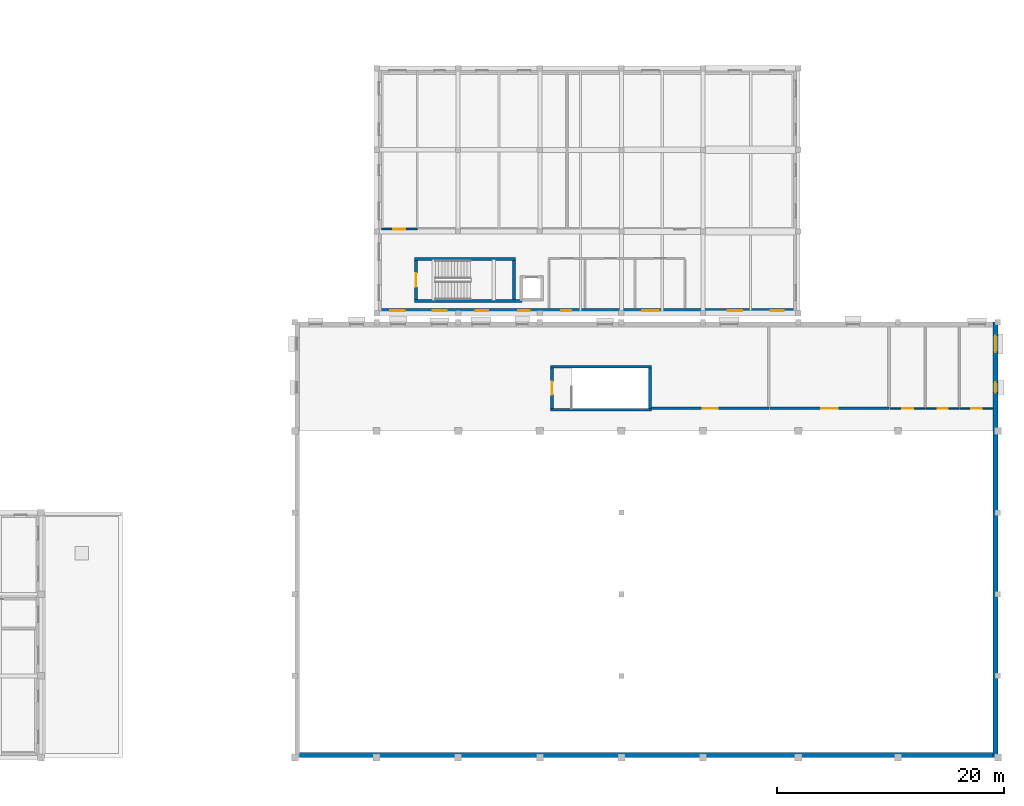
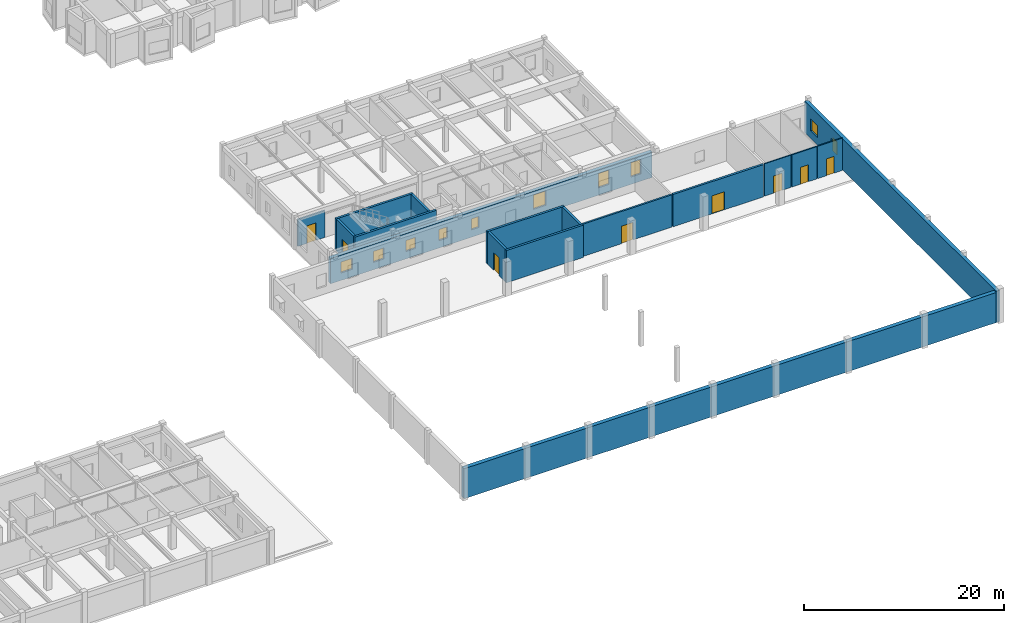
# One storey, part 34 of 49: 17 walls, 10 windows, 8 doors, 18 openings.
"""IFC4 building model written with IfcOpenShell, lengths in metres."""

from ifc_helpers import new_model, si_unit, direction, frame, frame_2d, origin, place, context, subcontext, project, spatial, rectangle, extrude, material, layer, layer_set, type_object, element, fill, save


model = new_model("IFC4")

# Units and contexts
model_context = context("Model", 3, precision=1e-05, world=origin(), true_north=direction((0.0, 1.0)))
body_context = subcontext(model_context, "Body", "Model", "MODEL_VIEW")
ifc_project = project(units=[si_unit("LENGTHUNIT", "METRE"), si_unit("AREAUNIT", "SQUARE_METRE"), si_unit("VOLUMEUNIT", "CUBIC_METRE"), si_unit("PLANEANGLEUNIT", "RADIAN"), si_unit("MASSUNIT", "GRAM", prefix="KILO")], contexts=[model_context])

# Site, building, storey
site_placement = place(None, origin())
site = spatial("IfcSite", under=ifc_project, at=site_placement, CompositionType="ELEMENT")
building_placement = place(site_placement, origin())
building = spatial("IfcBuilding", under=site, at=building_placement, Name="Bramveld Media Centre", CompositionType="ELEMENT")
storey_placement = place(building_placement, frame((0.0, 0.0, 9.60009765625)))
storey = spatial("IfcBuildingStorey", under=building, at=storey_placement, Name="L02", CompositionType="ELEMENT", Elevation=9.60009765625)

# Walls
ifc_material_1 = material(Name="Concrete C40/50 stair & lift core wall", Category="concrete")
ifc_layer_1 = layer(ifc_material_1, 0.25)
ifc_layer_set_1 = layer_set([ifc_layer_1], Name="Concrete C40/50 stair & lift core wall")
wall_type_1 = type_object("IfcWallType", Name="CWALL-SHEAR-250", PredefinedType="SHEAR", material=ifc_layer_set_1)
for number, where, z_axis, x_axis, name in (
    (1, (146.550048828125, 30.675048828125, 0.0), (0.0, 0.0, 1.0), (1.0, 0.0, 0.0), "ST-03 L02 stair core shear wall S"),
    (2, (155.449951171875, 34.47509765625, 0.0), (0.0, 0.0, 1.0), (-1.0, 0.0, 0.0), "ST-03 L02 stair core shear wall N"),
):
    element("IfcWall", number, at=place(storey_placement, frame(where, z_axis=z_axis, x_axis=x_axis)), inside=storey, type_object=wall_type_1, Name=name, PredefinedType="SHEAR", context=body_context, shape_type="SweptSolid", body=[
        extrude(rectangle(XDim=8.89990234375, YDim=0.25, at=frame_2d((4.449951171875, 0.0))), origin(), (0.0, 0.0, 1.0), 3.949951171875),
    ])

# Wall, opening, door
wall_1_placement = place(storey_placement, frame((146.675048828125, 34.35009765625, 0.0), z_axis=(0.0, 0.0, 1.0), x_axis=(0.0, -1.0, 0.0)))
wall_1 = element("IfcWall", 3, at=wall_1_placement, inside=storey, type_object=wall_type_1, Name="ST-03 L02 stair core shear wall W", PredefinedType="SHEAR", context=body_context, shape_type="SweptSolid", body=[
    extrude(rectangle(XDim=3.550048828125, YDim=0.25, at=frame_2d((1.77490234375, 0.0))), origin(), (0.0, 0.0, 1.0), 3.949951171875),
])
opening_1_placement = place(wall_1_placement, frame((1.199951171875, 0.0, 0.0)))
opening_1 = element("IfcOpeningElement", 4, at=opening_1_placement, cuts=wall_1, Name="Opening SD-03-L02", PredefinedType="OPENING", context=body_context, shape_type="SweptSolid", body=[
    extrude(rectangle(XDim=1.14990234375, YDim=2.14990234375, at=frame_2d((0.574951171875, 1.074951171875))), frame((0.0, 0.136962890625, 0.0), z_axis=(0.0, -1.0, 0.0), x_axis=(1.0, 0.0, 0.0)), (0.0, 0.0, 1.0), 0.27392578125),
])
ifc_material_2 = material(Name="Painted galvanized steel acoustic fire door with intumescent smoke seals", Category="steel")
door_type_1 = type_object("IfcDoorType", Name="DR-ST-1150", OperationType="NOTDEFINED", PredefinedType="DOOR", material=ifc_material_2)
door_1_placement = place(opening_1_placement, origin())
door_1 = element("IfcDoor", 5, at=door_1_placement, inside=storey, type_object=door_type_1, Name="ST-03 L02 pressurized stair fire door", OperationType="SINGLE_SWING_LEFT", OverallHeight=2.14990234375, OverallWidth=1.14990234375, PredefinedType="DOOR", context=body_context, shape_type="SweptSolid", body=[
    extrude(rectangle(XDim=1.14990234375, YDim=2.14990234375, at=frame_2d((0.574951171875, 1.074951171875))), frame((0.0, 0.02490234375, 0.0), z_axis=(0.0, -1.0, 0.0), x_axis=(1.0, 0.0, 0.0)), (0.0, 0.0, 1.0), 0.050048828125),
])
fill(opening_1, door_1)

# Walls
wall_2_placement = place(storey_placement, frame((155.324951171875, 30.800048828125, 0.0), z_axis=(0.0, 0.0, 1.0), x_axis=(0.0, 1.0, 0.0)))
element("IfcWall", 6, at=wall_2_placement, inside=storey, type_object=wall_type_1, Name="ST-03 L02 stair core shear wall E", PredefinedType="SHEAR", context=body_context, shape_type="SweptSolid", body=[
    extrude(rectangle(XDim=3.550048828125, YDim=0.25, at=frame_2d((1.77490234375, 0.0))), origin(), (0.0, 0.0, 1.0), 3.949951171875),
])
wall_3_placement = place(storey_placement, frame((134.550048828125, 40.27490234375, 0.0), z_axis=(0.0, 0.0, 1.0), x_axis=(1.0, 0.0, 0.0)))
element("IfcWall", 7, at=wall_3_placement, inside=storey, type_object=wall_type_1, Name="ST-08 L02 stair core shear wall S", PredefinedType="SHEAR", context=body_context, shape_type="SweptSolid", body=[
    extrude(rectangle(XDim=9.469970703125, YDim=0.25, at=frame_2d((4.73486328125, 0.0))), origin(), (0.0, 0.0, 1.0), 3.9599609375),
])
wall_4_placement = place(storey_placement, frame((143.449951171875, 43.97509765625, 0.0), z_axis=(0.0, 0.0, 1.0), x_axis=(-1.0, 0.0, 0.0)))
element("IfcWall", 8, at=wall_4_placement, inside=storey, type_object=wall_type_1, Name="ST-08 L02 stair core shear wall N", PredefinedType="SHEAR", context=body_context, shape_type="SweptSolid", body=[
    extrude(rectangle(XDim=8.89990234375, YDim=0.25, at=frame_2d((4.449951171875, 0.0))), origin(), (0.0, 0.0, 1.0), 3.9599609375),
])

# Wall, opening, door
wall_5_placement = place(storey_placement, frame((134.675048828125, 43.85009765625, 0.0), z_axis=(0.0, 0.0, 1.0), x_axis=(0.0, -1.0, 0.0)))
wall_5 = element("IfcWall", 9, at=wall_5_placement, inside=storey, type_object=wall_type_1, Name="ST-08 L02 stair core shear wall W", PredefinedType="SHEAR", context=body_context, shape_type="SweptSolid", body=[
    extrude(rectangle(XDim=3.4501953125, YDim=0.25, at=frame_2d((1.72509765625, 0.0))), origin(), (0.0, 0.0, 1.0), 3.9599609375),
])
opening_2_placement = place(wall_5_placement, frame((1.125, 0.0, 0.0)))
opening_2 = element("IfcOpeningElement", 10, at=opening_2_placement, cuts=wall_5, Name="Opening SD-08-L02", PredefinedType="OPENING", context=body_context, shape_type="SweptSolid", body=[
    extrude(rectangle(XDim=1.199951171875, YDim=2.14990234375, at=frame_2d((0.60009765625, 1.074951171875))), frame((0.0, 0.136962890625, 0.0), z_axis=(0.0, -1.0, 0.0), x_axis=(1.0, 0.0, 0.0)), (0.0, 0.0, 1.0), 0.27392578125),
])
ifc_material_3 = material(Name="Painted galvanized steel acoustic fire door with intumescent smoke seals", Category="steel")
door_type_2 = type_object("IfcDoorType", Name="DR-ST-1200", OperationType="NOTDEFINED", PredefinedType="DOOR", material=ifc_material_3)
door_2_placement = place(opening_2_placement, origin())
door_2 = element("IfcDoor", 11, at=door_2_placement, inside=storey, type_object=door_type_2, Name="ST-08 L02 pressurized stair fire door", OperationType="SINGLE_SWING_LEFT", OverallHeight=2.14990234375, OverallWidth=1.199951171875, PredefinedType="DOOR", context=body_context, shape_type="SweptSolid", body=[
    extrude(rectangle(XDim=1.199951171875, YDim=2.14990234375, at=frame_2d((0.60009765625, 1.074951171875))), frame((0.0, 0.02490234375, 0.0), z_axis=(0.0, -1.0, 0.0), x_axis=(1.0, 0.0, 0.0)), (0.0, 0.0, 1.0), 0.050048828125),
])
fill(opening_2, door_2)

# Wall
wall_6_placement = place(storey_placement, frame((143.324951171875, 40.39990234375, 0.0), z_axis=(0.0, 0.0, 1.0), x_axis=(0.0, 1.0, 0.0)))
element("IfcWall", 12, at=wall_6_placement, inside=storey, type_object=wall_type_1, Name="ST-08 L02 stair core shear wall E", PredefinedType="SHEAR", context=body_context, shape_type="SweptSolid", body=[
    extrude(rectangle(XDim=3.4501953125, YDim=0.25, at=frame_2d((1.72509765625, 0.0))), origin(), (0.0, 0.0, 1.0), 3.9599609375),
])

# Wall, openings, windows
ifc_material_4 = material(Name="Flemish red-brown clay facing brick cavity wall with concrete C35/45 inner leaf", Category="masonry")
ifc_layer_2 = layer(ifc_material_4, 0.419921875)
ifc_layer_set_2 = layer_set([ifc_layer_2], Name="Flemish red-brown clay facing brick cavity wall with concrete C35/45 inner leaf")
wall_type_2 = type_object("IfcWallType", Name="EW-BRK-420", PredefinedType="SOLIDWALL", material=ifc_layer_set_2)
wall_7_placement = place(storey_placement, frame((185.7900390625, 38.39990234375, 0.0), z_axis=(0.0, 0.0, 1.0), x_axis=(0.0, -1.0, 0.0)))
wall_7 = element("IfcWall", 13, at=wall_7_placement, inside=storey, type_object=wall_type_2, Name="V1 L02 E facing brick exterior wall", PredefinedType="SOLIDWALL", context=body_context, shape_type="SweptSolid", body=[
    extrude(rectangle(XDim=38.39990234375, YDim=0.419921875, at=frame_2d((19.199951171875, 0.0))), origin(), (0.0, 0.0, 1.0), 3.824951171875),
])
opening_3_placement = place(wall_7_placement, frame((1.195068359375, 0.0, 0.89990234375)))
opening_3 = element("IfcOpeningElement", 14, at=opening_3_placement, cuts=wall_7, Name="Opening W-12", PredefinedType="OPENING", context=body_context, shape_type="SweptSolid", body=[
    extrude(rectangle(XDim=1.449951171875, YDim=1.449951171875, at=frame_2d((0.72509765625, 0.72509765625))), frame((0.0, 0.221923828125, 0.0), z_axis=(0.0, -1.0, 0.0), x_axis=(1.0, 0.0, 0.0)), (0.0, 0.0, 1.0), 0.44384765625),
])
opening_4_placement = place(wall_7_placement, frame((5.31005859375, 0.0, 0.89990234375)))
opening_4 = element("IfcOpeningElement", 15, at=opening_4_placement, cuts=wall_7, Name="Opening W-13", PredefinedType="OPENING", context=body_context, shape_type="SweptSolid", body=[
    extrude(rectangle(XDim=0.89990234375, YDim=1.60009765625, at=frame_2d((0.449951171875, 0.800048828125))), frame((0.0, 0.221923828125, 0.0), z_axis=(0.0, -1.0, 0.0), x_axis=(1.0, 0.0, 0.0)), (0.0, 0.0, 1.0), 0.44384765625),
])
ifc_material_5 = material(Name="Thermally broken anodized bronze aluminium frame with triple acoustic glazing", Category="aluminium")
window_type_1 = type_object("IfcWindowType", Name="WIN-FAC-12", PartitioningType="SINGLE_PANEL", PredefinedType="WINDOW", material=ifc_material_5)
window_1_placement = place(opening_3_placement, origin())
window_1 = element("IfcWindow", 16, at=window_1_placement, inside=storey, type_object=window_type_1, Name="V1 L02 E acoustic facade window", OverallHeight=1.449951171875, OverallWidth=1.449951171875, PartitioningType="SINGLE_PANEL", PredefinedType="WINDOW", context=body_context, shape_type="SweptSolid", body=[
    extrude(rectangle(XDim=1.449951171875, YDim=1.449951171875, at=frame_2d((0.72509765625, 0.72509765625))), frame((0.0, 0.030029296875, 0.0), z_axis=(0.0, -1.0, 0.0), x_axis=(1.0, 0.0, 0.0)), (0.0, 0.0, 1.0), 0.06005859375),
])
fill(opening_3, window_1)
ifc_material_6 = material(Name="Thermally broken anodized bronze aluminium frame with triple acoustic glazing", Category="aluminium")
window_type_2 = type_object("IfcWindowType", Name="WIN-FAC-13", PartitioningType="SINGLE_PANEL", PredefinedType="WINDOW", material=ifc_material_6)
window_2_placement = place(opening_4_placement, origin())
window_2 = element("IfcWindow", 17, at=window_2_placement, inside=storey, type_object=window_type_2, Name="V1 L02 E acoustic facade window", OverallHeight=1.60009765625, OverallWidth=0.89990234375, PartitioningType="SINGLE_PANEL", PredefinedType="WINDOW", context=body_context, shape_type="SweptSolid", body=[
    extrude(rectangle(XDim=0.89990234375, YDim=1.60009765625, at=frame_2d((0.449951171875, 0.800048828125))), frame((0.0, 0.030029296875, 0.0), z_axis=(0.0, -1.0, 0.0), x_axis=(1.0, 0.0, 0.0)), (0.0, 0.0, 1.0), 0.06005859375),
])
fill(opening_4, window_2)

wall_8_placement = place(storey_placement, frame((168.39990234375, 39.409912109375, 0.0), z_axis=(0.0, 0.0, 1.0), x_axis=(-1.0, 0.0, 0.0)))
wall_8 = element("IfcWall", 18, at=wall_8_placement, inside=storey, type_object=wall_type_2, Name="V4 L02 S facing brick exterior wall", PredefinedType="SOLIDWALL", context=body_context, shape_type="SweptSolid", body=[
    extrude(rectangle(XDim=37.199951171875, YDim=0.419921875, at=frame_2d((18.60009765625, 0.0))), origin(), (0.0, 0.0, 1.0), 3.114990234375),
])
opening_5_placement = place(wall_8_placement, frame((1.300048828125, 0.0, 0.89990234375)))
opening_5 = element("IfcOpeningElement", 19, at=opening_5_placement, cuts=wall_8, Name="Opening W-20", PredefinedType="OPENING", context=body_context, shape_type="SweptSolid", body=[
    extrude(rectangle(XDim=1.1201171875, YDim=1.75, at=frame_2d((0.56005859375, 0.875))), frame((0.0, 0.221923828125, 0.0), z_axis=(0.0, -1.0, 0.0), x_axis=(1.0, 0.0, 0.0)), (0.0, 0.0, 1.0), 0.44384765625),
])
opening_6_placement = place(wall_8_placement, frame((4.9599609375, 0.0, 0.89990234375)))
opening_6 = element("IfcOpeningElement", 20, at=opening_6_placement, cuts=wall_8, Name="Opening W-21", PredefinedType="OPENING", context=body_context, shape_type="SweptSolid", body=[
    extrude(rectangle(XDim=1.239990234375, YDim=1.75, at=frame_2d((0.6201171875, 0.875))), frame((0.0, 0.221923828125, 0.0), z_axis=(0.0, -1.0, 0.0), x_axis=(1.0, 0.0, 0.0)), (0.0, 0.0, 1.0), 0.44384765625),
])
opening_7_placement = place(wall_8_placement, frame((12.300048828125, 0.0, 0.89990234375)))
opening_7 = element("IfcOpeningElement", 21, at=opening_7_placement, cuts=wall_8, Name="Opening W-23", PredefinedType="OPENING", context=body_context, shape_type="SweptSolid", body=[
    extrude(rectangle(XDim=1.43994140625, YDim=1.75, at=frame_2d((0.719970703125, 0.875))), frame((0.0, 0.221923828125, 0.0), z_axis=(0.0, -1.0, 0.0), x_axis=(1.0, 0.0, 0.0)), (0.0, 0.0, 1.0), 0.44384765625),
])
opening_8_placement = place(wall_8_placement, frame((20.010009765625, 0.0, 0.89990234375)))
opening_8 = element("IfcOpeningElement", 22, at=opening_8_placement, cuts=wall_8, Name="Opening W-01", PredefinedType="OPENING", context=body_context, shape_type="SweptSolid", body=[
    extrude(rectangle(XDim=0.89990234375, YDim=1.35009765625, at=frame_2d((0.449951171875, 0.675048828125))), frame((0.0, 0.221923828125, 0.0), z_axis=(0.0, -1.0, 0.0), x_axis=(1.0, 0.0, 0.0)), (0.0, 0.0, 1.0), 0.44384765625),
])
opening_9_placement = place(wall_8_placement, frame((23.679931640625, 0.0, 0.89990234375)))
opening_9 = element("IfcOpeningElement", 23, at=opening_9_placement, cuts=wall_8, Name="Opening W-02", PredefinedType="OPENING", context=body_context, shape_type="SweptSolid", body=[
    extrude(rectangle(XDim=1.0, YDim=1.35009765625, at=frame_2d((0.5, 0.675048828125))), frame((0.0, 0.221923828125, 0.0), z_axis=(0.0, -1.0, 0.0), x_axis=(1.0, 0.0, 0.0)), (0.0, 0.0, 1.0), 0.44384765625),
])
opening_10_placement = place(wall_8_placement, frame((27.35009765625, 0.0, 0.89990234375)))
opening_10 = element("IfcOpeningElement", 24, at=opening_10_placement, cuts=wall_8, Name="Opening W-03", PredefinedType="OPENING", context=body_context, shape_type="SweptSolid", body=[
    extrude(rectangle(XDim=1.10009765625, YDim=1.35009765625, at=frame_2d((0.550048828125, 0.675048828125))), frame((0.0, 0.221923828125, 0.0), z_axis=(0.0, -1.0, 0.0), x_axis=(1.0, 0.0, 0.0)), (0.0, 0.0, 1.0), 0.44384765625),
])
opening_11_placement = place(wall_8_placement, frame((31.02001953125, 0.0, 0.89990234375)))
opening_11 = element("IfcOpeningElement", 25, at=opening_11_placement, cuts=wall_8, Name="Opening W-04", PredefinedType="OPENING", context=body_context, shape_type="SweptSolid", body=[
    extrude(rectangle(XDim=1.199951171875, YDim=1.35009765625, at=frame_2d((0.60009765625, 0.675048828125))), frame((0.0, 0.221923828125, 0.0), z_axis=(0.0, -1.0, 0.0), x_axis=(1.0, 0.0, 0.0)), (0.0, 0.0, 1.0), 0.44384765625),
])
opening_12_placement = place(wall_8_placement, frame((34.68994140625, 0.0, 0.89990234375)))
opening_12 = element("IfcOpeningElement", 26, at=opening_12_placement, cuts=wall_8, Name="Opening W-05", PredefinedType="OPENING", context=body_context, shape_type="SweptSolid", body=[
    extrude(rectangle(XDim=1.300048828125, YDim=1.35009765625, at=frame_2d((0.64990234375, 0.675048828125))), frame((0.0, 0.221923828125, 0.0), z_axis=(0.0, -1.0, 0.0), x_axis=(1.0, 0.0, 0.0)), (0.0, 0.0, 1.0), 0.44384765625),
])
ifc_material_7 = material(Name="Thermally broken anodized bronze aluminium frame with triple acoustic glazing", Category="aluminium")
window_type_3 = type_object("IfcWindowType", Name="WIN-FAC-01", PartitioningType="SINGLE_PANEL", PredefinedType="WINDOW", material=ifc_material_7)
window_3_placement = place(opening_8_placement, origin())
window_3 = element("IfcWindow", 27, at=window_3_placement, inside=storey, type_object=window_type_3, Name="V4 L02 S acoustic facade window", OverallHeight=1.35009765625, OverallWidth=0.89990234375, PartitioningType="SINGLE_PANEL", PredefinedType="WINDOW", context=body_context, shape_type="SweptSolid", body=[
    extrude(rectangle(XDim=0.89990234375, YDim=1.35009765625, at=frame_2d((0.449951171875, 0.675048828125))), frame((0.0, 0.030029296875, 0.0), z_axis=(0.0, -1.0, 0.0), x_axis=(1.0, 0.0, 0.0)), (0.0, 0.0, 1.0), 0.06005859375),
])
fill(opening_8, window_3)
ifc_material_8 = material(Name="Thermally broken anodized bronze aluminium frame with triple acoustic glazing", Category="aluminium")
window_type_4 = type_object("IfcWindowType", Name="WIN-FAC-02", PartitioningType="SINGLE_PANEL", PredefinedType="WINDOW", material=ifc_material_8)
window_4_placement = place(opening_9_placement, origin())
window_4 = element("IfcWindow", 28, at=window_4_placement, inside=storey, type_object=window_type_4, Name="V4 L02 S acoustic facade window", OverallHeight=1.35009765625, OverallWidth=1.0, PartitioningType="SINGLE_PANEL", PredefinedType="WINDOW", context=body_context, shape_type="SweptSolid", body=[
    extrude(rectangle(XDim=1.0, YDim=1.35009765625, at=frame_2d((0.5, 0.675048828125))), frame((0.0, 0.030029296875, 0.0), z_axis=(0.0, -1.0, 0.0), x_axis=(1.0, 0.0, 0.0)), (0.0, 0.0, 1.0), 0.06005859375),
])
fill(opening_9, window_4)
ifc_material_9 = material(Name="Thermally broken anodized bronze aluminium frame with triple acoustic glazing", Category="aluminium")
window_type_5 = type_object("IfcWindowType", Name="WIN-FAC-03", PartitioningType="SINGLE_PANEL", PredefinedType="WINDOW", material=ifc_material_9)
window_5_placement = place(opening_10_placement, origin())
window_5 = element("IfcWindow", 29, at=window_5_placement, inside=storey, type_object=window_type_5, Name="V4 L02 S acoustic facade window", OverallHeight=1.35009765625, OverallWidth=1.10009765625, PartitioningType="SINGLE_PANEL", PredefinedType="WINDOW", context=body_context, shape_type="SweptSolid", body=[
    extrude(rectangle(XDim=1.10009765625, YDim=1.35009765625, at=frame_2d((0.550048828125, 0.675048828125))), frame((0.0, 0.030029296875, 0.0), z_axis=(0.0, -1.0, 0.0), x_axis=(1.0, 0.0, 0.0)), (0.0, 0.0, 1.0), 0.06005859375),
])
fill(opening_10, window_5)
ifc_material_10 = material(Name="Thermally broken anodized bronze aluminium frame with triple acoustic glazing", Category="aluminium")
window_type_6 = type_object("IfcWindowType", Name="WIN-FAC-04", PartitioningType="SINGLE_PANEL", PredefinedType="WINDOW", material=ifc_material_10)
window_6_placement = place(opening_11_placement, origin())
window_6 = element("IfcWindow", 30, at=window_6_placement, inside=storey, type_object=window_type_6, Name="V4 L02 S acoustic facade window", OverallHeight=1.35009765625, OverallWidth=1.199951171875, PartitioningType="SINGLE_PANEL", PredefinedType="WINDOW", context=body_context, shape_type="SweptSolid", body=[
    extrude(rectangle(XDim=1.199951171875, YDim=1.35009765625, at=frame_2d((0.60009765625, 0.675048828125))), frame((0.0, 0.030029296875, 0.0), z_axis=(0.0, -1.0, 0.0), x_axis=(1.0, 0.0, 0.0)), (0.0, 0.0, 1.0), 0.06005859375),
])
fill(opening_11, window_6)
ifc_material_11 = material(Name="Thermally broken anodized bronze aluminium frame with triple acoustic glazing", Category="aluminium")
window_type_7 = type_object("IfcWindowType", Name="WIN-FAC-05", PartitioningType="SINGLE_PANEL", PredefinedType="WINDOW", material=ifc_material_11)
window_7_placement = place(opening_12_placement, origin())
window_7 = element("IfcWindow", 31, at=window_7_placement, inside=storey, type_object=window_type_7, Name="V4 L02 S acoustic facade window", OverallHeight=1.35009765625, OverallWidth=1.300048828125, PartitioningType="SINGLE_PANEL", PredefinedType="WINDOW", context=body_context, shape_type="SweptSolid", body=[
    extrude(rectangle(XDim=1.300048828125, YDim=1.35009765625, at=frame_2d((0.64990234375, 0.675048828125))), frame((0.0, 0.030029296875, 0.0), z_axis=(0.0, -1.0, 0.0), x_axis=(1.0, 0.0, 0.0)), (0.0, 0.0, 1.0), 0.06005859375),
])
fill(opening_12, window_7)
ifc_material_12 = material(Name="Thermally broken anodized bronze aluminium frame with triple acoustic glazing", Category="aluminium")
window_type_8 = type_object("IfcWindowType", Name="WIN-FAC-20", PartitioningType="SINGLE_PANEL", PredefinedType="WINDOW", material=ifc_material_12)
window_8_placement = place(opening_5_placement, origin())
window_8 = element("IfcWindow", 32, at=window_8_placement, inside=storey, type_object=window_type_8, Name="V4 L02 S acoustic facade window", OverallHeight=1.75, OverallWidth=1.1201171875, PartitioningType="SINGLE_PANEL", PredefinedType="WINDOW", context=body_context, shape_type="SweptSolid", body=[
    extrude(rectangle(XDim=1.1201171875, YDim=1.75, at=frame_2d((0.56005859375, 0.875))), frame((0.0, 0.030029296875, 0.0), z_axis=(0.0, -1.0, 0.0), x_axis=(1.0, 0.0, 0.0)), (0.0, 0.0, 1.0), 0.06005859375),
])
fill(opening_5, window_8)
ifc_material_13 = material(Name="Thermally broken anodized bronze aluminium frame with triple acoustic glazing", Category="aluminium")
window_type_9 = type_object("IfcWindowType", Name="WIN-FAC-21", PartitioningType="SINGLE_PANEL", PredefinedType="WINDOW", material=ifc_material_13)
window_9_placement = place(opening_6_placement, origin())
window_9 = element("IfcWindow", 33, at=window_9_placement, inside=storey, type_object=window_type_9, Name="V4 L02 S acoustic facade window", OverallHeight=1.75, OverallWidth=1.239990234375, PartitioningType="SINGLE_PANEL", PredefinedType="WINDOW", context=body_context, shape_type="SweptSolid", body=[
    extrude(rectangle(XDim=1.239990234375, YDim=1.75, at=frame_2d((0.6201171875, 0.875))), frame((0.0, 0.030029296875, 0.0), z_axis=(0.0, -1.0, 0.0), x_axis=(1.0, 0.0, 0.0)), (0.0, 0.0, 1.0), 0.06005859375),
])
fill(opening_6, window_9)
ifc_material_14 = material(Name="Thermally broken anodized bronze aluminium frame with triple acoustic glazing", Category="aluminium")
window_type_10 = type_object("IfcWindowType", Name="WIN-FAC-23", PartitioningType="SINGLE_PANEL", PredefinedType="WINDOW", material=ifc_material_14)
window_10_placement = place(opening_7_placement, origin())
window_10 = element("IfcWindow", 34, at=window_10_placement, inside=storey, type_object=window_type_10, Name="V4 L02 S acoustic facade window", OverallHeight=1.75, OverallWidth=1.43994140625, PartitioningType="SINGLE_PANEL", PredefinedType="WINDOW", context=body_context, shape_type="SweptSolid", body=[
    extrude(rectangle(XDim=1.43994140625, YDim=1.75, at=frame_2d((0.719970703125, 0.875))), frame((0.0, 0.030029296875, 0.0), z_axis=(0.0, -1.0, 0.0), x_axis=(1.0, 0.0, 0.0)), (0.0, 0.0, 1.0), 0.06005859375),
])
fill(opening_7, window_10)

# Wall
ifc_material_15 = material(Name="Flemish red-brown clay facing brick cavity wall with concrete C35/45 inner leaf", Category="masonry")
ifc_layer_3 = layer(ifc_material_15, 0.4599609375)
ifc_layer_set_3 = layer_set([ifc_layer_3], Name="Flemish red-brown clay facing brick cavity wall with concrete C35/45 inner leaf")
wall_type_3 = type_object("IfcWallType", Name="EW-BRK-460", PredefinedType="SOLIDWALL", material=ifc_layer_set_3)
wall_9_placement = place(storey_placement, frame((186.0, 0.22998046875, 0.0), z_axis=(0.0, 0.0, 1.0), x_axis=(-1.0, 0.0, 0.0)))
element("IfcWall", 35, at=wall_9_placement, inside=storey, type_object=wall_type_3, Name="V1 L02 S facing brick exterior wall", PredefinedType="SOLIDWALL", context=body_context, shape_type="SweptSolid", body=[
    extrude(rectangle(XDim=62.0, YDim=0.4599609375, at=frame_2d((31.0, 0.0))), origin(), (0.0, 0.0, 1.0), 3.6748046875),
])

# Wall, opening, door
ifc_material_16 = material(Name="Acoustic calcium-silicate & mineral-wool compartment partition", Category="masonry")
ifc_layer_4 = layer(ifc_material_16, 0.199951171875)
ifc_layer_set_4 = layer_set([ifc_layer_4], Name="Acoustic calcium-silicate & mineral-wool compartment partition")
wall_type_4 = type_object("IfcWallType", Name="IW-ACOU-200", PredefinedType="PARTITIONING", material=ifc_layer_set_4)
wall_10_placement = place(storey_placement, frame((155.4599609375, 30.800048828125, 0.0), z_axis=(0.0, 0.0, 1.0), x_axis=(1.0, 0.0, 0.0)))
wall_10 = element("IfcWall", 36, at=wall_10_placement, inside=storey, type_object=wall_type_4, Name="Dolby Atmos Amplifier & Dimmer Room partition wall", PredefinedType="PARTITIONING", context=body_context, shape_type="SweptSolid", body=[
    extrude(rectangle(XDim=10.340087890625, YDim=0.199951171875, at=frame_2d((5.169921875, 0.0))), origin(), (0.0, 0.0, 1.0), 3.949951171875),
])
opening_13_placement = place(wall_10_placement, frame((4.510009765625, 0.0, 0.0)))
opening_13 = element("IfcOpeningElement", 37, at=opening_13_placement, cuts=wall_10, Name="Opening D-02-096", PredefinedType="OPENING", context=body_context, shape_type="SweptSolid", body=[
    extrude(rectangle(XDim=1.320068359375, YDim=2.14990234375, at=frame_2d((0.66015625, 1.074951171875))), frame((0.0, 0.11181640625, 0.0), z_axis=(0.0, -1.0, 0.0), x_axis=(1.0, 0.0, 0.0)), (0.0, 0.0, 1.0), 0.223876953125),
])
ifc_material_17 = material(Name="Fire-rated acoustic timber & steel composite door", Category="steel")
door_type_3 = type_object("IfcDoorType", Name="DR-PLANT-1320", OperationType="NOTDEFINED", PredefinedType="DOOR", material=ifc_material_17)
door_3_placement = place(opening_13_placement, origin())
door_3 = element("IfcDoor", 38, at=door_3_placement, inside=storey, type_object=door_type_3, Name="Dolby Atmos Amplifier & Dimmer Room entrance door", OperationType="SINGLE_SWING_LEFT", OverallHeight=2.14990234375, OverallWidth=1.320068359375, PredefinedType="DOOR", context=body_context, shape_type="SweptSolid", body=[
    extrude(rectangle(XDim=1.320068359375, YDim=2.14990234375, at=frame_2d((0.66015625, 1.074951171875))), frame((0.0, 0.02490234375, 0.0), z_axis=(0.0, -1.0, 0.0), x_axis=(1.0, 0.0, 0.0)), (0.0, 0.0, 1.0), 0.050048828125),
])
fill(opening_13, door_3)

ifc_material_18 = material(Name="Double-stud acoustic gypsum & mineral-wool studio wall", Category="gypsum")
ifc_layer_5 = layer(ifc_material_18, 0.239990234375)
ifc_layer_set_5 = layer_set([ifc_layer_5], Name="Double-stud acoustic gypsum & mineral-wool studio wall")
wall_type_5 = type_object("IfcWallType", Name="IW-ACOU-240", PredefinedType="PARTITIONING", material=ifc_layer_set_5)
wall_11_placement = place(storey_placement, frame((165.909912109375, 30.800048828125, 0.0), z_axis=(0.0, 0.0, 1.0), x_axis=(1.0, 0.0, 0.0)))
wall_11 = element("IfcWall", 39, at=wall_11_placement, inside=storey, type_object=wall_type_5, Name="Cinema Acoustic AHU Plant Room partition wall", PredefinedType="PARTITIONING", context=body_context, shape_type="SweptSolid", body=[
    extrude(rectangle(XDim=10.489990234375, YDim=0.239990234375, at=frame_2d((5.2451171875, 0.0))), origin(), (0.0, 0.0, 1.0), 3.949951171875),
])
opening_14_placement = place(wall_11_placement, frame((4.52490234375, 0.0, 0.0)))
opening_14 = element("IfcOpeningElement", 40, at=opening_14_placement, cuts=wall_11, Name="Opening D-02-097", PredefinedType="OPENING", context=body_context, shape_type="SweptSolid", body=[
    extrude(rectangle(XDim=1.43994140625, YDim=2.199951171875, at=frame_2d((0.719970703125, 1.10009765625))), frame((0.0, 0.1318359375, 0.0), z_axis=(0.0, -1.0, 0.0), x_axis=(1.0, 0.0, 0.0)), (0.0, 0.0, 1.0), 0.263916015625),
])
ifc_material_19 = material(Name="Fire-rated acoustic timber & steel composite door", Category="steel")
door_type_4 = type_object("IfcDoorType", Name="DR-PLANT-1440", OperationType="NOTDEFINED", PredefinedType="DOOR", material=ifc_material_19)
door_4_placement = place(opening_14_placement, origin())
door_4 = element("IfcDoor", 41, at=door_4_placement, inside=storey, type_object=door_type_4, Name="Cinema Acoustic AHU Plant Room entrance door", OperationType="SINGLE_SWING_RIGHT", OverallHeight=2.199951171875, OverallWidth=1.43994140625, PredefinedType="DOOR", context=body_context, shape_type="SweptSolid", body=[
    extrude(rectangle(XDim=1.43994140625, YDim=2.199951171875, at=frame_2d((0.719970703125, 1.10009765625))), frame((0.0, 0.02490234375, 0.0), z_axis=(0.0, -1.0, 0.0), x_axis=(1.0, 0.0, 0.0)), (0.0, 0.0, 1.0), 0.050048828125),
])
fill(opening_14, door_4)

ifc_material_20 = material(Name="Fire-rated twin-frame gypsum corridor wall", Category="gypsum")
ifc_layer_6 = layer(ifc_material_20, 0.179931640625)
ifc_layer_set_6 = layer_set([ifc_layer_6], Name="Fire-rated twin-frame gypsum corridor wall")
wall_type_6 = type_object("IfcWallType", Name="IW-FIRE-180", PredefinedType="PARTITIONING", material=ifc_layer_set_6)
wall_12_placement = place(storey_placement, frame((131.6298828125, 46.60009765625, 0.0), z_axis=(0.0, 0.0, 1.0), x_axis=(1.0, 0.0, 0.0)))
wall_12 = element("IfcWall", 42, at=wall_12_placement, inside=storey, type_object=wall_type_6, Name="Stair ST-08 L02 Landing Lobby partition wall", PredefinedType="PARTITIONING", context=body_context, shape_type="SweptSolid", body=[
    extrude(rectangle(XDim=3.170166015625, YDim=0.179931640625, at=frame_2d((1.5849609375, 0.0))), origin(), (0.0, 0.0, 1.0), 3.284912109375),
])
opening_15_placement = place(wall_12_placement, frame((1.06494140625, 0.0, 0.0)))
opening_15 = element("IfcOpeningElement", 43, at=opening_15_placement, cuts=wall_12, Name="Opening D-02-113", PredefinedType="OPENING", context=body_context, shape_type="SweptSolid", body=[
    extrude(rectangle(XDim=1.0400390625, YDim=2.14990234375, at=frame_2d((0.52001953125, 1.074951171875))), frame((0.0, 0.10205078125, 0.0), z_axis=(0.0, -1.0, 0.0), x_axis=(1.0, 0.0, 0.0)), (0.0, 0.0, 1.0), 0.203857421875),
])
ifc_material_21 = material(Name="Solid-core European oak acoustic timber leaf in steel frame", Category="steel")
door_type_5 = type_object("IfcDoorType", Name="DR-RM-1040", OperationType="NOTDEFINED", PredefinedType="DOOR", material=ifc_material_21)
door_5_placement = place(opening_15_placement, origin())
door_5 = element("IfcDoor", 44, at=door_5_placement, inside=storey, type_object=door_type_5, Name="Animation & Motion-Capture Studio entrance door", OperationType="SINGLE_SWING_RIGHT", OverallHeight=2.14990234375, OverallWidth=1.0400390625, PredefinedType="DOOR", context=body_context, shape_type="SweptSolid", body=[
    extrude(rectangle(XDim=1.0400390625, YDim=2.14990234375, at=frame_2d((0.52001953125, 1.074951171875))), frame((0.0, 0.02490234375, 0.0), z_axis=(0.0, -1.0, 0.0), x_axis=(1.0, 0.0, 0.0)), (0.0, 0.0, 1.0), 0.050048828125),
])
fill(opening_15, door_5)

ifc_material_22 = material(Name="Moisture-resistant cement-board sanitary partition", Category="gypsum")
ifc_layer_7 = layer(ifc_material_22, 0.139892578125)
ifc_layer_set_7 = layer_set([ifc_layer_7], Name="Moisture-resistant cement-board sanitary partition")
wall_type_7 = type_object("IfcWallType", Name="IW-WET-140", PredefinedType="PARTITIONING", material=ifc_layer_set_7)
wall_13_placement = place(storey_placement, frame((176.530029296875, 30.800048828125, 0.0), z_axis=(0.0, 0.0, 1.0), x_axis=(1.0, 0.0, 0.0)))
wall_13 = element("IfcWall", 45, at=wall_13_placement, inside=storey, type_object=wall_type_7, Name="Accessible WC partition wall", PredefinedType="PARTITIONING", context=body_context, shape_type="SweptSolid", body=[
    extrude(rectangle(XDim=3.070068359375, YDim=0.139892578125, at=frame_2d((1.53515625, 0.0))), origin(), (0.0, 0.0, 1.0), 3.949951171875),
])
opening_16_placement = place(wall_13_placement, frame((1.034912109375, 0.0, 0.0)))
opening_16 = element("IfcOpeningElement", 46, at=opening_16_placement, cuts=wall_13, Name="Opening D-02-098", PredefinedType="OPENING", context=body_context, shape_type="SweptSolid", body=[
    extrude(rectangle(XDim=1.0, YDim=2.10009765625, at=frame_2d((0.5, 1.050048828125))), frame((0.0, 0.08203125, 0.0), z_axis=(0.0, -1.0, 0.0), x_axis=(1.0, 0.0, 0.0)), (0.0, 0.0, 1.0), 0.163818359375),
])
ifc_material_23 = material(Name="Solid-core European oak acoustic timber leaf in steel frame", Category="steel")
door_type_6 = type_object("IfcDoorType", Name="DR-WC-PMR-1000", OperationType="NOTDEFINED", PredefinedType="DOOR", material=ifc_material_23)
door_6_placement = place(opening_16_placement, origin())
door_6 = element("IfcDoor", 47, at=door_6_placement, inside=storey, type_object=door_type_6, Name="Accessible WC entrance door", OperationType="SINGLE_SWING_LEFT", OverallHeight=2.10009765625, OverallWidth=1.0, PredefinedType="DOOR", context=body_context, shape_type="SweptSolid", body=[
    extrude(rectangle(XDim=1.0, YDim=2.10009765625, at=frame_2d((0.5, 1.050048828125))), frame((0.0, 0.02490234375, 0.0), z_axis=(0.0, -1.0, 0.0), x_axis=(1.0, 0.0, 0.0)), (0.0, 0.0, 1.0), 0.050048828125),
])
fill(opening_16, door_6)

wall_14_placement = place(storey_placement, frame((179.679931640625, 30.800048828125, 0.0), z_axis=(0.0, 0.0, 1.0), x_axis=(1.0, 0.0, 0.0)))
wall_14 = element("IfcWall", 48, at=wall_14_placement, inside=storey, type_object=wall_type_7, Name="Male WC partition wall", PredefinedType="PARTITIONING", context=body_context, shape_type="SweptSolid", body=[
    extrude(rectangle(XDim=2.920166015625, YDim=0.139892578125, at=frame_2d((1.4599609375, 0.0))), origin(), (0.0, 0.0, 1.0), 3.949951171875),
])
opening_17_placement = place(wall_14_placement, frame((1.0048828125, 0.0, 0.0)))
opening_17 = element("IfcOpeningElement", 49, at=opening_17_placement, cuts=wall_14, Name="Opening D-02-099", PredefinedType="OPENING", context=body_context, shape_type="SweptSolid", body=[
    extrude(rectangle(XDim=0.909912109375, YDim=2.06005859375, at=frame_2d((0.455078125, 1.030029296875))), frame((0.0, 0.08203125, 0.0), z_axis=(0.0, -1.0, 0.0), x_axis=(1.0, 0.0, 0.0)), (0.0, 0.0, 1.0), 0.163818359375),
])
ifc_material_24 = material(Name="Solid-core European oak acoustic timber leaf in steel frame", Category="steel")
door_type_7 = type_object("IfcDoorType", Name="DR-WC-0910", OperationType="NOTDEFINED", PredefinedType="DOOR", material=ifc_material_24)
door_7_placement = place(opening_17_placement, origin())
door_7 = element("IfcDoor", 50, at=door_7_placement, inside=storey, type_object=door_type_7, Name="Male WC entrance door", OperationType="SINGLE_SWING_RIGHT", OverallHeight=2.06005859375, OverallWidth=0.909912109375, PredefinedType="DOOR", context=body_context, shape_type="SweptSolid", body=[
    extrude(rectangle(XDim=0.909912109375, YDim=2.06005859375, at=frame_2d((0.455078125, 1.030029296875))), frame((0.0, 0.02490234375, 0.0), z_axis=(0.0, -1.0, 0.0), x_axis=(1.0, 0.0, 0.0)), (0.0, 0.0, 1.0), 0.050048828125),
])
fill(opening_17, door_7)

wall_15_placement = place(storey_placement, frame((182.679931640625, 30.800048828125, 0.0), z_axis=(0.0, 0.0, 1.0), x_axis=(1.0, 0.0, 0.0)))
wall_15 = element("IfcWall", 51, at=wall_15_placement, inside=storey, type_object=wall_type_7, Name="Female WC partition wall", PredefinedType="PARTITIONING", context=body_context, shape_type="SweptSolid", body=[
    extrude(rectangle(XDim=2.89013671875, YDim=0.139892578125, at=frame_2d((1.445068359375, 0.0))), origin(), (0.0, 0.0, 1.0), 3.949951171875),
])
opening_18_placement = place(wall_15_placement, frame((1.0, 0.0, 0.0)))
opening_18 = element("IfcOpeningElement", 52, at=opening_18_placement, cuts=wall_15, Name="Opening D-02-100", PredefinedType="OPENING", context=body_context, shape_type="SweptSolid", body=[
    extrude(rectangle(XDim=0.889892578125, YDim=2.050048828125, at=frame_2d((0.44482421875, 1.02490234375))), frame((0.0, 0.08203125, 0.0), z_axis=(0.0, -1.0, 0.0), x_axis=(1.0, 0.0, 0.0)), (0.0, 0.0, 1.0), 0.163818359375),
])
ifc_material_25 = material(Name="Solid-core European oak acoustic timber leaf in steel frame", Category="steel")
door_type_8 = type_object("IfcDoorType", Name="DR-WC-0890", OperationType="NOTDEFINED", PredefinedType="DOOR", material=ifc_material_25)
door_8_placement = place(opening_18_placement, origin())
door_8 = element("IfcDoor", 53, at=door_8_placement, inside=storey, type_object=door_type_8, Name="Female WC entrance door", OperationType="SINGLE_SWING_LEFT", OverallHeight=2.050048828125, OverallWidth=0.889892578125, PredefinedType="DOOR", context=body_context, shape_type="SweptSolid", body=[
    extrude(rectangle(XDim=0.889892578125, YDim=2.050048828125, at=frame_2d((0.44482421875, 1.02490234375))), frame((0.0, 0.02490234375, 0.0), z_axis=(0.0, -1.0, 0.0), x_axis=(1.0, 0.0, 0.0)), (0.0, 0.0, 1.0), 0.050048828125),
])
fill(opening_18, door_8)

save(model, "model.ifc")
